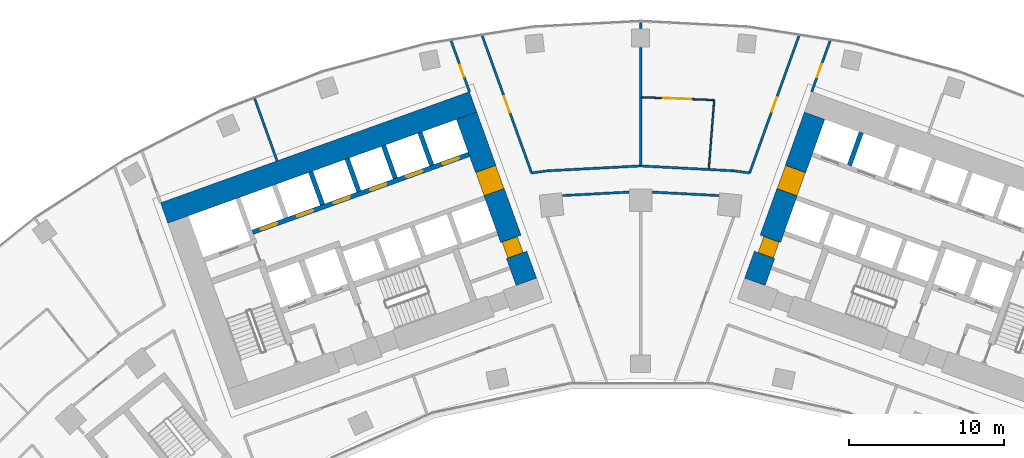
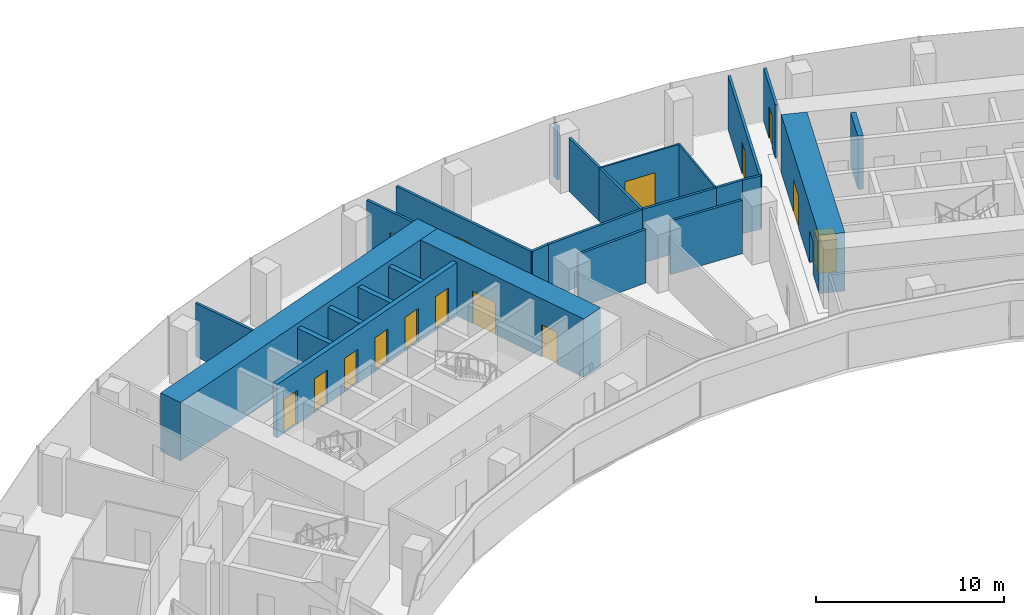
# One storey, part 15 of 20: 26 walls, 15 doors, 15 openings.
"""IFC4 building model written with IfcOpenShell, lengths in metres."""

from ifc_helpers import new_model, si_unit, direction, frame, frame_2d, origin, place, context, subcontext, project, spatial, rectangle, extrude, material, layer, layer_set, type_object, element, fill, save


model = new_model("IFC4")

# Units and contexts
model_context = context("Model", 3, precision=1e-05, world=origin(), true_north=direction((0.0, 1.0)))
body_context = subcontext(model_context, "Body", "Model", "MODEL_VIEW")
ifc_project = project(units=[si_unit("LENGTHUNIT", "METRE"), si_unit("AREAUNIT", "SQUARE_METRE"), si_unit("VOLUMEUNIT", "CUBIC_METRE"), si_unit("PLANEANGLEUNIT", "RADIAN"), si_unit("MASSUNIT", "GRAM", prefix="KILO")], contexts=[model_context])

# Site, building, storey
site_placement = place(None, origin())
site = spatial("IfcSite", under=ifc_project, at=site_placement, CompositionType="ELEMENT")
building_placement = place(site_placement, origin())
building = spatial("IfcBuilding", under=site, at=building_placement, Name="Stone Belt Terrace Tower", CompositionType="ELEMENT")
storey_placement = place(building_placement, frame((0.0, 0.0, 106.0)))
storey = spatial("IfcBuildingStorey", under=building, at=storey_placement, Name="L25", CompositionType="ELEMENT", Elevation=106.0)

# Wall
ifc_material_1 = material(Name="Concrete B80", Category="concrete")
ifc_layer_1 = layer(ifc_material_1, 1.39990234375)
ifc_layer_set_1 = layer_set([ifc_layer_1], Name="Core wall 1400 B80")
wall_type_1 = type_object("IfcWallType", Name="Core wall 1400 B80", PredefinedType="SHEAR", material=ifc_layer_set_1)
wall_1_placement = place(storey_placement, frame((-30.765380859375, 54.18310546875, 0.0), z_axis=(0.0, 0.0, 1.0), x_axis=(0.940919704758, 0.338629752382, 0.0)))
element("IfcWall", 1, at=wall_1_placement, inside=storey, type_object=wall_type_1, Name="Core A wall convex L25", PredefinedType="SHEAR", context=body_context, shape_type="SweptSolid", body=[
    extrude(rectangle(XDim=21.199951171875, YDim=1.39990234375, at=frame_2d((10.60009765625, 0.0))), origin(), (0.0, 0.0, 1.0), 3.800048828125),
])

# Wall, openings, doors
wall_2_placement = place(storey_placement, frame((-7.379150390625, 49.73974609375, 0.0), z_axis=(0.0, 0.0, 1.0), x_axis=(-0.338625431531, 0.940921259788, 0.0)))
wall_2 = element("IfcWall", 2, at=wall_2_placement, inside=storey, type_object=wall_type_1, Name="Core A wall end_b L25", PredefinedType="SHEAR", context=body_context, shape_type="SweptSolid", body=[
    extrude(rectangle(XDim=11.400146484375, YDim=1.39990234375, at=frame_2d((5.7001953125, 0.0))), origin(), (0.0, 0.0, 1.0), 3.800048828125),
])
opening_1_placement = place(wall_2_placement, frame((6.14990234375, 0.0, 0.0)))
opening_1 = element("IfcOpeningElement", 3, at=opening_1_placement, cuts=wall_2, Name="Opening L25-C02", PredefinedType="OPENING", context=body_context, shape_type="SweptSolid", body=[
    extrude(rectangle(XDim=1.60009765625, YDim=2.10009765625, at=frame_2d((0.800048828125, 1.050048828125))), frame((0.0, 0.7099609375, 0.0), z_axis=(0.0, -1.0, 0.0), x_axis=(1.0, 0.0, 0.0)), (0.0, 0.0, 1.0), 1.419921875),
])
opening_2_placement = place(wall_2_placement, frame((1.85009765625, 0.0, 0.0)))
opening_2 = element("IfcOpeningElement", 4, at=opening_2_placement, cuts=wall_2, Name="Opening L25-C08", PredefinedType="OPENING", context=body_context, shape_type="SweptSolid", body=[
    extrude(rectangle(XDim=1.10009765625, YDim=2.10009765625, at=frame_2d((0.550048828125, 1.050048828125))), frame((0.0, 0.7099609375, 0.0), z_axis=(0.0, -1.0, 0.0), x_axis=(1.0, 0.0, 0.0)), (0.0, 0.0, 1.0), 1.419921875),
])
ifc_material_2 = material(Name="Timber door leaf", Category="wood")
door_type_1 = type_object("IfcDoorType", Name="Core room door 1100", OperationType="SINGLE_SWING_LEFT", PredefinedType="DOOR", material=ifc_material_2)
door_1_placement = place(opening_2_placement, origin())
door_1 = element("IfcDoor", 5, at=door_1_placement, inside=storey, type_object=door_type_1, Name="Door to Accessible WC core A", OperationType="SINGLE_SWING_LEFT", OverallHeight=2.10009765625, OverallWidth=1.10009765625, PredefinedType="DOOR", context=body_context, shape_type="SweptSolid", body=[
    extrude(rectangle(XDim=1.10009765625, YDim=2.10009765625, at=frame_2d((0.550048828125, 1.050048828125))), frame((0.0, 0.60498046875, 0.0), z_axis=(0.0, -1.0, 0.0), x_axis=(1.0, 0.0, 0.0)), (0.0, 0.0, 1.0), 1.050048828125),
])
fill(opening_2, door_1)
ifc_material_3 = material(Name="Glazed aluminium door leaf", Category="aluminium")
door_type_2 = type_object("IfcDoorType", Name="Lift lobby entrance door 1600", OperationType="DOUBLE_DOOR_SINGLE_SWING", PredefinedType="DOOR", material=ifc_material_3)
door_2_placement = place(opening_1_placement, origin())
door_2 = element("IfcDoor", 6, at=door_2_placement, inside=storey, type_object=door_type_2, Name="Lift lobby entrance door core A", OperationType="DOUBLE_DOOR_SINGLE_SWING", OverallHeight=2.10009765625, OverallWidth=1.60009765625, PredefinedType="DOOR", context=body_context, shape_type="SweptSolid", body=[
    extrude(rectangle(XDim=1.60009765625, YDim=2.10009765625, at=frame_2d((0.800048828125, 1.050048828125))), frame((0.0, 0.68017578125, 0.0), z_axis=(0.0, -1.0, 0.0), x_axis=(1.0, 0.0, 0.0)), (0.0, 0.0, 1.0), 1.360107421875),
])
fill(opening_1, door_2)

wall_3_placement = place(storey_placement, frame((7.379150390625, 49.73974609375, 0.0), z_axis=(0.0, 0.0, 1.0), x_axis=(0.338625431531, 0.940921259788, 0.0)))
wall_3 = element("IfcWall", 7, at=wall_3_placement, inside=storey, type_object=wall_type_1, Name="Core B wall end_a L25", PredefinedType="SHEAR", context=body_context, shape_type="SweptSolid", body=[
    extrude(rectangle(XDim=11.400146484375, YDim=1.39990234375, at=frame_2d((5.7001953125, 0.0))), origin(), (0.0, 0.0, 1.0), 3.800048828125),
])
opening_3_placement = place(wall_3_placement, frame((6.14990234375, 0.0, 0.0)))
opening_3 = element("IfcOpeningElement", 8, at=opening_3_placement, cuts=wall_3, Name="Opening L25-C11", PredefinedType="OPENING", context=body_context, shape_type="SweptSolid", body=[
    extrude(rectangle(XDim=1.60009765625, YDim=2.10009765625, at=frame_2d((0.800048828125, 1.050048828125))), frame((0.0, 0.7099609375, 0.0), z_axis=(0.0, -1.0, 0.0), x_axis=(1.0, 0.0, 0.0)), (0.0, 0.0, 1.0), 1.419921875),
])
opening_4_placement = place(wall_3_placement, frame((1.85009765625, 0.0, 0.0)))
opening_4 = element("IfcOpeningElement", 9, at=opening_4_placement, cuts=wall_3, Name="Opening L25-C17", PredefinedType="OPENING", context=body_context, shape_type="SweptSolid", body=[
    extrude(rectangle(XDim=1.10009765625, YDim=2.10009765625, at=frame_2d((0.550048828125, 1.050048828125))), frame((0.0, 0.7099609375, 0.0), z_axis=(0.0, -1.0, 0.0), x_axis=(1.0, 0.0, 0.0)), (0.0, 0.0, 1.0), 1.419921875),
])
door_3_placement = place(opening_4_placement, origin())
door_3 = element("IfcDoor", 10, at=door_3_placement, inside=storey, type_object=door_type_1, Name="Door to Accessible WC core B", OperationType="SINGLE_SWING_RIGHT", OverallHeight=2.10009765625, OverallWidth=1.10009765625, PredefinedType="DOOR", context=body_context, shape_type="SweptSolid", body=[
    extrude(rectangle(XDim=1.10009765625, YDim=2.10009765625, at=frame_2d((0.550048828125, 1.050048828125))), frame((0.0, 0.44482421875, 0.0), z_axis=(0.0, -1.0, 0.0), x_axis=(1.0, 0.0, 0.0)), (0.0, 0.0, 1.0), 1.050048828125),
])
fill(opening_4, door_3)
door_4_placement = place(opening_3_placement, origin())
door_4 = element("IfcDoor", 11, at=door_4_placement, inside=storey, type_object=door_type_2, Name="Lift lobby entrance door core B", OperationType="DOUBLE_DOOR_SINGLE_SWING", OverallHeight=2.10009765625, OverallWidth=1.60009765625, PredefinedType="DOOR", context=body_context, shape_type="SweptSolid", body=[
    extrude(rectangle(XDim=1.60009765625, YDim=2.10009765625, at=frame_2d((0.800048828125, 1.050048828125))), frame((0.0, 0.68017578125, 0.0), z_axis=(0.0, -1.0, 0.0), x_axis=(1.0, 0.0, 0.0)), (0.0, 0.0, 1.0), 1.360107421875),
])
fill(opening_3, door_4)

ifc_layer_2 = layer(ifc_material_1, 0.300048828125)
ifc_layer_set_2 = layer_set([ifc_layer_2], Name="Lift shaft wall 300")
wall_type_2 = type_object("IfcWallType", Name="Lift shaft wall 300", PredefinedType="SHEAR", material=ifc_layer_set_2)
wall_4_placement = place(storey_placement, frame((-25.05810546875, 52.9423828125, 0.0), z_axis=(0.0, 0.0, 1.0), x_axis=(0.940918215764, 0.338633889685, 0.0)))
wall_4 = element("IfcWall", 12, at=wall_4_placement, inside=storey, type_object=wall_type_2, Name="Core A wall", PredefinedType="SHEAR", context=body_context, shape_type="SweptSolid", body=[
    extrude(rectangle(XDim=14.850341796875, YDim=0.300048828125, at=frame_2d((7.42529296875, 0.0))), origin(), (0.0, 0.0, 1.0), 3.47998046875),
])
opening_5_placement = place(wall_4_placement, frame((0.570068359375, 0.0, 0.0)))
opening_5 = element("IfcOpeningElement", 13, at=opening_5_placement, cuts=wall_4, Name="Opening L25-LD01", PredefinedType="OPENING", context=body_context, shape_type="SweptSolid", body=[
    extrude(rectangle(XDim=1.10009765625, YDim=2.199951171875, at=frame_2d((0.550048828125, 1.10009765625))), frame((0.0, 0.159912109375, 0.0), z_axis=(0.0, -1.0, 0.0), x_axis=(1.0, 0.0, 0.0)), (0.0, 0.0, 1.0), 0.320068359375),
])
opening_6_placement = place(wall_4_placement, frame((3.070068359375, 0.0, 0.0)))
opening_6 = element("IfcOpeningElement", 14, at=opening_6_placement, cuts=wall_4, Name="Opening L25-LD02", PredefinedType="OPENING", context=body_context, shape_type="SweptSolid", body=[
    extrude(rectangle(XDim=1.10009765625, YDim=2.199951171875, at=frame_2d((0.550048828125, 1.10009765625))), frame((0.0, 0.159912109375, 0.0), z_axis=(0.0, -1.0, 0.0), x_axis=(1.0, 0.0, 0.0)), (0.0, 0.0, 1.0), 0.320068359375),
])
opening_7_placement = place(wall_4_placement, frame((5.570068359375, 0.0, 0.0)))
opening_7 = element("IfcOpeningElement", 15, at=opening_7_placement, cuts=wall_4, Name="Opening L25-LD03", PredefinedType="OPENING", context=body_context, shape_type="SweptSolid", body=[
    extrude(rectangle(XDim=1.10009765625, YDim=2.199951171875, at=frame_2d((0.550048828125, 1.10009765625))), frame((0.0, 0.159912109375, 0.0), z_axis=(0.0, -1.0, 0.0), x_axis=(1.0, 0.0, 0.0)), (0.0, 0.0, 1.0), 0.320068359375),
])
opening_8_placement = place(wall_4_placement, frame((8.070068359375, 0.0, 0.0)))
opening_8 = element("IfcOpeningElement", 16, at=opening_8_placement, cuts=wall_4, Name="Opening L25-LD04", PredefinedType="OPENING", context=body_context, shape_type="SweptSolid", body=[
    extrude(rectangle(XDim=1.10009765625, YDim=2.199951171875, at=frame_2d((0.550048828125, 1.10009765625))), frame((0.0, 0.159912109375, 0.0), z_axis=(0.0, -1.0, 0.0), x_axis=(1.0, 0.0, 0.0)), (0.0, 0.0, 1.0), 0.320068359375),
])
opening_9_placement = place(wall_4_placement, frame((10.570068359375, 0.0, 0.0)))
opening_9 = element("IfcOpeningElement", 17, at=opening_9_placement, cuts=wall_4, Name="Opening L25-LD05", PredefinedType="OPENING", context=body_context, shape_type="SweptSolid", body=[
    extrude(rectangle(XDim=1.10009765625, YDim=2.199951171875, at=frame_2d((0.550048828125, 1.10009765625))), frame((0.0, 0.159912109375, 0.0), z_axis=(0.0, -1.0, 0.0), x_axis=(1.0, 0.0, 0.0)), (0.0, 0.0, 1.0), 0.320068359375),
])
opening_10_placement = place(wall_4_placement, frame((13.070068359375, 0.0, 0.0)))
opening_10 = element("IfcOpeningElement", 18, at=opening_10_placement, cuts=wall_4, Name="Opening L25-LD06", PredefinedType="OPENING", context=body_context, shape_type="SweptSolid", body=[
    extrude(rectangle(XDim=1.10009765625, YDim=2.199951171875, at=frame_2d((0.550048828125, 1.10009765625))), frame((0.0, 0.159912109375, 0.0), z_axis=(0.0, -1.0, 0.0), x_axis=(1.0, 0.0, 0.0)), (0.0, 0.0, 1.0), 0.320068359375),
])
ifc_material_4 = material(Name="Stainless steel door leaf", Category="steel")
door_type_3 = type_object("IfcDoorType", Name="Landing door 1100", OperationType="SLIDING_TO_LEFT", PredefinedType="DOOR", material=ifc_material_4)
door_5_placement = place(opening_5_placement, origin())
door_5 = element("IfcDoor", 19, at=door_5_placement, inside=storey, type_object=door_type_3, Name="Landing door LR1 core A", OperationType="SLIDING_TO_LEFT", OverallHeight=2.199951171875, OverallWidth=1.10009765625, PredefinedType="DOOR", context=body_context, shape_type="SweptSolid", body=[
    extrude(rectangle(XDim=1.10009765625, YDim=2.199951171875, at=frame_2d((0.550048828125, 1.10009765625))), frame((0.0, 0.02490234375, 0.0), z_axis=(0.0, -1.0, 0.0), x_axis=(1.0, 0.0, 0.0)), (0.0, 0.0, 1.0), 0.050048828125),
])
fill(opening_5, door_5)
door_6_placement = place(opening_6_placement, origin())
door_6 = element("IfcDoor", 20, at=door_6_placement, inside=storey, type_object=door_type_3, Name="Landing door LR2 core A", OperationType="SLIDING_TO_LEFT", OverallHeight=2.199951171875, OverallWidth=1.10009765625, PredefinedType="DOOR", context=body_context, shape_type="SweptSolid", body=[
    extrude(rectangle(XDim=1.10009765625, YDim=2.199951171875, at=frame_2d((0.550048828125, 1.10009765625))), frame((0.0, 0.02490234375, 0.0), z_axis=(0.0, -1.0, 0.0), x_axis=(1.0, 0.0, 0.0)), (0.0, 0.0, 1.0), 0.050048828125),
])
fill(opening_6, door_6)
door_7_placement = place(opening_7_placement, origin())
door_7 = element("IfcDoor", 21, at=door_7_placement, inside=storey, type_object=door_type_3, Name="Landing door LR3 core A", OperationType="SLIDING_TO_LEFT", OverallHeight=2.199951171875, OverallWidth=1.10009765625, PredefinedType="DOOR", context=body_context, shape_type="SweptSolid", body=[
    extrude(rectangle(XDim=1.10009765625, YDim=2.199951171875, at=frame_2d((0.550048828125, 1.10009765625))), frame((0.0, 0.02490234375, 0.0), z_axis=(0.0, -1.0, 0.0), x_axis=(1.0, 0.0, 0.0)), (0.0, 0.0, 1.0), 0.050048828125),
])
fill(opening_7, door_7)
door_8_placement = place(opening_8_placement, origin())
door_8 = element("IfcDoor", 22, at=door_8_placement, inside=storey, type_object=door_type_3, Name="Landing door LR4 core A", OperationType="SLIDING_TO_LEFT", OverallHeight=2.199951171875, OverallWidth=1.10009765625, PredefinedType="DOOR", context=body_context, shape_type="SweptSolid", body=[
    extrude(rectangle(XDim=1.10009765625, YDim=2.199951171875, at=frame_2d((0.550048828125, 1.10009765625))), frame((0.0, 0.02490234375, 0.0), z_axis=(0.0, -1.0, 0.0), x_axis=(1.0, 0.0, 0.0)), (0.0, 0.0, 1.0), 0.050048828125),
])
fill(opening_8, door_8)
door_9_placement = place(opening_9_placement, origin())
door_9 = element("IfcDoor", 23, at=door_9_placement, inside=storey, type_object=door_type_3, Name="Landing door LR5 core A", OperationType="SLIDING_TO_LEFT", OverallHeight=2.199951171875, OverallWidth=1.10009765625, PredefinedType="DOOR", context=body_context, shape_type="SweptSolid", body=[
    extrude(rectangle(XDim=1.10009765625, YDim=2.199951171875, at=frame_2d((0.550048828125, 1.10009765625))), frame((0.0, 0.02490234375, 0.0), z_axis=(0.0, -1.0, 0.0), x_axis=(1.0, 0.0, 0.0)), (0.0, 0.0, 1.0), 0.050048828125),
])
fill(opening_9, door_9)
door_10_placement = place(opening_10_placement, origin())
door_10 = element("IfcDoor", 24, at=door_10_placement, inside=storey, type_object=door_type_3, Name="Landing door LR6 core A", OperationType="SLIDING_TO_LEFT", OverallHeight=2.199951171875, OverallWidth=1.10009765625, PredefinedType="DOOR", context=body_context, shape_type="SweptSolid", body=[
    extrude(rectangle(XDim=1.10009765625, YDim=2.199951171875, at=frame_2d((0.550048828125, 1.10009765625))), frame((0.0, 0.02490234375, 0.0), z_axis=(0.0, -1.0, 0.0), x_axis=(1.0, 0.0, 0.0)), (0.0, 0.0, 1.0), 0.050048828125),
])
fill(opening_10, door_10)

# Walls
wall_5_placement = place(storey_placement, frame((-20.54541015625, 54.72607421875, 0.0), z_axis=(0.0, 0.0, 1.0), x_axis=(-0.338569601369, 0.940941350472, 0.0)))
element("IfcWall", 25, at=wall_5_placement, inside=storey, type_object=wall_type_2, Name="Core A wall", PredefinedType="SHEAR", context=body_context, shape_type="SweptSolid", body=[
    extrude(rectangle(XDim=2.249755859375, YDim=0.300048828125, at=frame_2d((1.125, 0.0))), origin(), (0.0, 0.0, 1.0), 3.47998046875),
])
wall_6_placement = place(storey_placement, frame((-18.193115234375, 55.572509765625, 0.0), z_axis=(0.0, 0.0, 1.0), x_axis=(-0.338535034312, 0.940953787677, 0.0)))
element("IfcWall", 26, at=wall_6_placement, inside=storey, type_object=wall_type_2, Name="Core A wall", PredefinedType="SHEAR", context=body_context, shape_type="SweptSolid", body=[
    extrude(rectangle(XDim=2.25, YDim=0.300048828125, at=frame_2d((1.125, 0.0))), origin(), (0.0, 0.0, 1.0), 3.47998046875),
])
wall_7_placement = place(storey_placement, frame((-15.8408203125, 56.419189453125, 0.0), z_axis=(0.0, 0.0, 1.0), x_axis=(-0.338569601369, 0.940941350472, 0.0)))
element("IfcWall", 27, at=wall_7_placement, inside=storey, type_object=wall_type_2, Name="Core A wall", PredefinedType="SHEAR", context=body_context, shape_type="SweptSolid", body=[
    extrude(rectangle(XDim=2.249755859375, YDim=0.300048828125, at=frame_2d((1.125, 0.0))), origin(), (0.0, 0.0, 1.0), 3.47998046875),
])
for number, where, z_axis, x_axis, name in (
    (28, (-13.48828125, 57.265625, 0.0), (0.0, 0.0, 1.0), (-0.338631098537, 0.940919220286, 0.0), "Core A wall"),
    (29, (13.48828125, 57.265625, 0.0), (0.0, 0.0, 1.0), (0.338631098537, 0.940919220286, 0.0), "Core B wall"),
):
    element("IfcWall", number, at=place(storey_placement, frame(where, z_axis=z_axis, x_axis=x_axis)), inside=storey, type_object=wall_type_2, Name=name, PredefinedType="SHEAR", context=body_context, shape_type="SweptSolid", body=[
        extrude(rectangle(XDim=2.250244140625, YDim=0.300048828125, at=frame_2d((1.125, 0.0))), origin(), (0.0, 0.0, 1.0), 3.47998046875),
    ])
ifc_material_5 = material(Name="Gypsum board partition")
ifc_layer_3 = layer(ifc_material_5, 0.10009765625)
ifc_layer_set_3 = layer_set([ifc_layer_3], Name="PARTITION 100")
wall_type_3 = type_object("IfcWallType", Name="PARTITION 100", PredefinedType="PARTITIONING", material=ifc_layer_set_3)
wall_8_placement = place(storey_placement, frame((4.405029296875, 56.9951171875, 0.0), z_axis=(0.0, 0.0, 1.0), x_axis=(0.077107292913, 0.997022800832, 0.0)))
element("IfcWall", 30, at=wall_8_placement, inside=storey, type_object=wall_type_3, Name="L25/wall/i094", PredefinedType="PARTITIONING", context=body_context, shape_type="SweptSolid", body=[
    extrude(rectangle(XDim=4.499267578125, YDim=0.10009765625, at=frame_2d((2.24951171875, 0.0))), origin(), (0.0, 0.0, 1.0), 3.47998046875),
])

# Wall, opening, door
wall_9_placement = place(storey_placement, frame((4.751953125, 61.48095703125, 0.0), z_axis=(0.0, 0.0, 1.0), x_axis=(-0.99925844213, 0.0385041015, 0.0)))
wall_9 = element("IfcWall", 31, at=wall_9_placement, inside=storey, type_object=wall_type_3, Name="L25/wall/i095", PredefinedType="PARTITIONING", context=body_context, shape_type="SweptSolid", body=[
    extrude(rectangle(XDim=4.75537109375, YDim=0.10009765625, at=frame_2d((2.377685546875, 0.0))), origin(), (0.0, 0.0, 1.0), 3.47998046875),
])
opening_11_placement = place(wall_9_placement, frame((1.477783203125, 0.0, 0.0)))
opening_11 = element("IfcOpeningElement", 32, at=opening_11_placement, cuts=wall_9, Name="Opening D-B3-30", PredefinedType="OPENING", context=body_context, shape_type="SweptSolid", body=[
    extrude(rectangle(XDim=1.800048828125, YDim=2.10009765625, at=frame_2d((0.89990234375, 1.050048828125))), frame((0.0, 0.06005859375, 0.0), z_axis=(0.0, -1.0, 0.0), x_axis=(1.0, 0.0, 0.0)), (0.0, 0.0, 1.0), 0.1201171875),
])
door_type_4 = type_object("IfcDoorType", Name="DOUBLE DOOR 1800 X 2100", OperationType="DOUBLE_DOOR_SINGLE_SWING", PredefinedType="DOOR", material=ifc_material_2)
door_11_placement = place(opening_11_placement, origin())
door_11 = element("IfcDoor", 33, at=door_11_placement, inside=storey, type_object=door_type_4, Name="L25/door/i30", OperationType="DOUBLE_DOOR_SINGLE_SWING", OverallHeight=2.10009765625, OverallWidth=1.800048828125, PredefinedType="DOOR", context=body_context, shape_type="SweptSolid", body=[
    extrude(rectangle(XDim=1.800048828125, YDim=2.10009765625, at=frame_2d((0.89990234375, 1.050048828125))), frame((0.0, 0.02490234375, 0.0), z_axis=(0.0, -1.0, 0.0), x_axis=(1.0, 0.0, 0.0)), (0.0, 0.0, 1.0), 0.050048828125),
])
fill(opening_11, door_11)

ifc_layer_4 = layer(ifc_material_5, 0.14990234375)
ifc_layer_set_4 = layer_set([ifc_layer_4], Name="PARTITION 150 EI 60")
wall_type_4 = type_object("IfcWallType", Name="PARTITION 150 EI 60", PredefinedType="PARTITIONING", material=ifc_layer_set_4)
wall_10_placement = place(storey_placement, frame((-11.054931640625, 62.02099609375, 0.0), z_axis=(0.0, 0.0, 1.0), x_axis=(-0.338853532575, 0.94083913793, 0.0)))
wall_10 = element("IfcWall", 34, at=wall_10_placement, inside=storey, type_object=wall_type_4, Name="L25/wall/i007", PredefinedType="PARTITIONING", context=body_context, shape_type="SweptSolid", body=[
    extrude(rectangle(XDim=3.482177734375, YDim=0.14990234375, at=frame_2d((1.7412109375, 0.0))), origin(), (0.0, 0.0, 1.0), 3.47998046875),
])
opening_12_placement = place(wall_10_placement, frame((1.02880859375, 0.0, 0.0)))
opening_12 = element("IfcOpeningElement", 35, at=opening_12_placement, cuts=wall_10, Name="Opening D-B3-04", PredefinedType="OPENING", context=body_context, shape_type="SweptSolid", body=[
    extrude(rectangle(XDim=0.800048828125, YDim=2.10009765625, at=frame_2d((0.39990234375, 1.050048828125))), frame((0.0, 0.0849609375, 0.0), z_axis=(0.0, -1.0, 0.0), x_axis=(1.0, 0.0, 0.0)), (0.0, 0.0, 1.0), 0.169921875),
])
door_type_5 = type_object("IfcDoorType", Name="STORE DOOR 800 X 2100", OperationType="NOTDEFINED", PredefinedType="DOOR", material=ifc_material_2)
door_12_placement = place(opening_12_placement, origin())
door_12 = element("IfcDoor", 36, at=door_12_placement, inside=storey, type_object=door_type_5, Name="L25/door/i04", OperationType="SINGLE_SWING_LEFT", OverallHeight=2.10009765625, OverallWidth=0.800048828125, PredefinedType="DOOR", context=body_context, shape_type="SweptSolid", body=[
    extrude(rectangle(XDim=0.800048828125, YDim=2.10009765625, at=frame_2d((0.39990234375, 1.050048828125))), frame((0.0, 0.02490234375, 0.0), z_axis=(0.0, -1.0, 0.0), x_axis=(1.0, 0.0, 0.0)), (0.0, 0.0, 1.0), 0.050048828125),
])
fill(opening_12, door_12)

wall_11_placement = place(storey_placement, frame((-10.223876953125, 65.6162109375, 0.0), z_axis=(0.0, 0.0, 1.0), x_axis=(0.338637655092, -0.940916860596, 0.0)))
wall_11 = element("IfcWall", 37, at=wall_11_placement, inside=storey, type_object=wall_type_4, Name="L25/wall/i009", PredefinedType="PARTITIONING", context=body_context, shape_type="SweptSolid", body=[
    extrude(rectangle(XDim=9.40478515625, YDim=0.14990234375, at=frame_2d((4.702392578125, 0.0))), origin(), (0.0, 0.0, 1.0), 3.47998046875),
])
opening_13_placement = place(wall_11_placement, frame((4.15234375, 0.0, 0.0)))
opening_13 = element("IfcOpeningElement", 38, at=opening_13_placement, cuts=wall_11, Name="Opening D-B3-28", PredefinedType="OPENING", context=body_context, shape_type="SweptSolid", body=[
    extrude(rectangle(XDim=1.10009765625, YDim=2.10009765625, at=frame_2d((0.550048828125, 1.050048828125))), frame((0.0, 0.0849609375, 0.0), z_axis=(0.0, -1.0, 0.0), x_axis=(1.0, 0.0, 0.0)), (0.0, 0.0, 1.0), 0.169921875),
])
ifc_material_6 = material(Name="Steel fire door set", Category="steel")
door_type_6 = type_object("IfcDoorType", Name="SERVICE ROOM DOOR 1100 X 2100", OperationType="NOTDEFINED", PredefinedType="DOOR", material=ifc_material_6)
door_13_placement = place(opening_13_placement, origin())
door_13 = element("IfcDoor", 39, at=door_13_placement, inside=storey, type_object=door_type_6, Name="L25/door/i28", OperationType="SINGLE_SWING_RIGHT", OverallHeight=2.10009765625, OverallWidth=1.10009765625, PredefinedType="DOOR", context=body_context, shape_type="SweptSolid", body=[
    extrude(rectangle(XDim=1.10009765625, YDim=2.10009765625, at=frame_2d((0.550048828125, 1.050048828125))), frame((0.0, 0.02490234375, 0.0), z_axis=(0.0, -1.0, 0.0), x_axis=(1.0, 0.0, 0.0)), (0.0, 0.0, 1.0), 0.050048828125),
])
fill(opening_13, door_13)

# Wall
wall_12_placement = place(storey_placement, frame((-24.921875, 61.566162109375, 0.0), z_axis=(0.0, 0.0, 1.0), x_axis=(0.338516906477, -0.940960309487, 0.0)))
element("IfcWall", 40, at=wall_12_placement, inside=storey, type_object=wall_type_4, Name="L25/wall/i013", PredefinedType="PARTITIONING", context=body_context, shape_type="SweptSolid", body=[
    extrude(rectangle(XDim=4.26806640625, YDim=0.14990234375, at=frame_2d((2.134033203125, 0.0))), origin(), (0.0, 0.0, 1.0), 3.47998046875),
])

# Wall, opening, door
wall_13_placement = place(storey_placement, frame((12.23486328125, 65.297119140625, 0.0), z_axis=(0.0, 0.0, 1.0), x_axis=(-0.338853532575, -0.94083913793, 0.0)))
wall_13 = element("IfcWall", 41, at=wall_13_placement, inside=storey, type_object=wall_type_4, Name="L25/wall/i015", PredefinedType="PARTITIONING", context=body_context, shape_type="SweptSolid", body=[
    extrude(rectangle(XDim=3.482177734375, YDim=0.14990234375, at=frame_2d((1.7412109375, 0.0))), origin(), (0.0, 0.0, 1.0), 3.47998046875),
])
opening_14_placement = place(wall_13_placement, frame((1.58837890625, 0.0, 0.0)))
opening_14 = element("IfcOpeningElement", 42, at=opening_14_placement, cuts=wall_13, Name="Opening D-B3-07", PredefinedType="OPENING", context=body_context, shape_type="SweptSolid", body=[
    extrude(rectangle(XDim=0.89990234375, YDim=2.10009765625, at=frame_2d((0.449951171875, 1.050048828125))), frame((0.0, 0.0849609375, 0.0), z_axis=(0.0, -1.0, 0.0), x_axis=(1.0, 0.0, 0.0)), (0.0, 0.0, 1.0), 0.169921875),
])
door_type_7 = type_object("IfcDoorType", Name="OFFICE DOOR 900 X 2100", OperationType="NOTDEFINED", PredefinedType="DOOR", material=ifc_material_2)
door_14_placement = place(opening_14_placement, origin())
door_14 = element("IfcDoor", 43, at=door_14_placement, inside=storey, type_object=door_type_7, Name="L25/door/i07", OperationType="SINGLE_SWING_RIGHT", OverallHeight=2.10009765625, OverallWidth=0.89990234375, PredefinedType="DOOR", context=body_context, shape_type="SweptSolid", body=[
    extrude(rectangle(XDim=0.89990234375, YDim=2.10009765625, at=frame_2d((0.449951171875, 1.050048828125))), frame((0.0, 0.02490234375, 0.0), z_axis=(0.0, -1.0, 0.0), x_axis=(1.0, 0.0, 0.0)), (0.0, 0.0, 1.0), 0.050048828125),
])
fill(opening_14, door_14)

wall_14_placement = place(storey_placement, frame((7.0390625, 56.76708984375, 0.0), z_axis=(0.0, 0.0, 1.0), x_axis=(0.338637655092, 0.940916860596, 0.0)))
wall_14 = element("IfcWall", 44, at=wall_14_placement, inside=storey, type_object=wall_type_4, Name="L25/wall/i017", PredefinedType="PARTITIONING", context=body_context, shape_type="SweptSolid", body=[
    extrude(rectangle(XDim=9.40478515625, YDim=0.14990234375, at=frame_2d((4.702392578125, 0.0))), origin(), (0.0, 0.0, 1.0), 3.47998046875),
])
opening_15_placement = place(wall_14_placement, frame((4.202392578125, 0.0, 0.0)))
opening_15 = element("IfcOpeningElement", 45, at=opening_15_placement, cuts=wall_14, Name="Opening D-B3-29", PredefinedType="OPENING", context=body_context, shape_type="SweptSolid", body=[
    extrude(rectangle(XDim=1.0, YDim=2.10009765625, at=frame_2d((0.5, 1.050048828125))), frame((0.0, 0.0849609375, 0.0), z_axis=(0.0, -1.0, 0.0), x_axis=(1.0, 0.0, 0.0)), (0.0, 0.0, 1.0), 0.169921875),
])
ifc_material_7 = material(Name="Timber fire door leaf", Category="wood")
door_type_8 = type_object("IfcDoorType", Name="TENANCY ENTRANCE DOOR 1000 X 2100", OperationType="NOTDEFINED", PredefinedType="DOOR", material=ifc_material_7)
door_15_placement = place(opening_15_placement, origin())
door_15 = element("IfcDoor", 46, at=door_15_placement, inside=storey, type_object=door_type_8, Name="L25/door/i29", OperationType="SINGLE_SWING_RIGHT", OverallHeight=2.10009765625, OverallWidth=1.0, PredefinedType="DOOR", context=body_context, shape_type="SweptSolid", body=[
    extrude(rectangle(XDim=1.0, YDim=2.10009765625, at=frame_2d((0.5, 1.050048828125))), frame((0.0, 0.02490234375, 0.0), z_axis=(0.0, -1.0, 0.0), x_axis=(1.0, 0.0, 0.0)), (0.0, 0.0, 1.0), 0.050048828125),
])
fill(opening_15, door_15)

# Walls
for number, where, z_axis, x_axis, name in (
    (47, (-0.7548828125, 55.535400390625, 0.0), (0.0, 0.0, 1.0), (-0.998635163173, -0.052228448909, 0.0), "L25/wall/i083"),
    (48, (5.05419921875, 55.310546875, 0.0), (0.0, 0.0, 1.0), (-0.998635163173, 0.052228448909, 0.0), "L25/wall/i084"),
):
    element("IfcWall", number, at=place(storey_placement, frame(where, z_axis=z_axis, x_axis=x_axis)), inside=storey, type_object=wall_type_4, Name=name, PredefinedType="PARTITIONING", context=body_context, shape_type="SweptSolid", body=[
        extrude(rectangle(XDim=4.30517578125, YDim=0.14990234375, at=frame_2d((2.152587890625, 0.0))), origin(), (0.0, 0.0, 1.0), 3.47998046875),
    ])
wall_15_placement = place(storey_placement, frame((-7.041015625, 56.77294921875, 0.0), z_axis=(0.0, 0.0, 1.0), x_axis=(0.991477617634, 0.130277142013, 0.0)))
element("IfcWall", 49, at=wall_15_placement, inside=storey, type_object=wall_type_4, Name="L25/wall/i085", PredefinedType="PARTITIONING", context=body_context, shape_type="SweptSolid", body=[
    extrude(rectangle(XDim=1.068115234375, YDim=0.14990234375, at=frame_2d((0.5341796875, 0.0))), origin(), (0.0, 0.0, 1.0), 3.47998046875),
])
wall_16_placement = place(storey_placement, frame((-5.98193359375, 56.912109375, 0.0), z_axis=(0.0, 0.0, 1.0), x_axis=(0.998633994648, 0.052250786921, 0.0)))
element("IfcWall", 50, at=wall_16_placement, inside=storey, type_object=wall_type_4, Name="L25/wall/i086", PredefinedType="PARTITIONING", context=body_context, shape_type="SweptSolid", body=[
    extrude(rectangle(XDim=5.990234375, YDim=0.14990234375, at=frame_2d((2.9951171875, 0.0))), origin(), (0.0, 0.0, 1.0), 3.47998046875),
])
wall_17_placement = place(storey_placement, frame((4.39892578125, 56.9951171875, 0.0), z_axis=(0.0, 0.0, 1.0), x_axis=(0.998628021373, -0.052364825303, 0.0)))
element("IfcWall", 51, at=wall_17_placement, inside=storey, type_object=wall_type_4, Name="L25/wall/i087", PredefinedType="PARTITIONING", context=body_context, shape_type="SweptSolid", body=[
    extrude(rectangle(XDim=1.585205078125, YDim=0.14990234375, at=frame_2d((0.79248046875, 0.0))), origin(), (0.0, 0.0, 1.0), 3.47998046875),
])
wall_18_placement = place(storey_placement, frame((5.98193359375, 56.912109375, 0.0), z_axis=(0.0, 0.0, 1.0), x_axis=(0.991477617634, -0.130277142013, 0.0)))
element("IfcWall", 52, at=wall_18_placement, inside=storey, type_object=wall_type_4, Name="L25/wall/i088", PredefinedType="PARTITIONING", context=body_context, shape_type="SweptSolid", body=[
    extrude(rectangle(XDim=1.068115234375, YDim=0.14990234375, at=frame_2d((0.5341796875, 0.0))), origin(), (0.0, 0.0, 1.0), 3.47998046875),
])
wall_19_placement = place(storey_placement, frame((0.0, 57.22509765625, 0.0), z_axis=(0.0, 0.0, 1.0), x_axis=(0.998629105291, -0.052344150258, 0.0)))
element("IfcWall", 53, at=wall_19_placement, inside=storey, type_object=wall_type_4, Name="L25/wall/i089", PredefinedType="PARTITIONING", context=body_context, shape_type="SweptSolid", body=[
    extrude(rectangle(XDim=4.4169921875, YDim=0.14990234375, at=frame_2d((2.20849609375, 0.0))), origin(), (0.0, 0.0, 1.0), 3.47998046875),
])
wall_20_placement = place(storey_placement, frame((0.0, 66.5, 0.0), z_axis=(0.0, 0.0, 1.0), x_axis=(0.0, -1.0, 0.0)))
element("IfcWall", 54, at=wall_20_placement, inside=storey, type_object=wall_type_4, Name="L25/wall/i091", PredefinedType="PARTITIONING", context=body_context, shape_type="SweptSolid", body=[
    extrude(rectangle(XDim=0.406005859375, YDim=0.14990234375, at=frame_2d((0.203125, 0.0))), origin(), (0.0, 0.0, 1.0), 3.47998046875),
])
wall_21_placement = place(storey_placement, frame((0.0, 64.8837890625, 0.0), z_axis=(0.0, 0.0, 1.0), x_axis=(0.0, -1.0, 0.0)))
element("IfcWall", 55, at=wall_21_placement, inside=storey, type_object=wall_type_4, Name="L25/wall/i092", PredefinedType="PARTITIONING", context=body_context, shape_type="SweptSolid", body=[
    extrude(rectangle(XDim=3.225830078125, YDim=0.14990234375, at=frame_2d((1.61279296875, 0.0))), origin(), (0.0, 0.0, 1.0), 3.47998046875),
])
wall_22_placement = place(storey_placement, frame((0.0, 61.669921875, 0.0), z_axis=(0.0, 0.0, 1.0), x_axis=(0.0, -1.0, 0.0)))
element("IfcWall", 56, at=wall_22_placement, inside=storey, type_object=wall_type_4, Name="L25/wall/i093", PredefinedType="PARTITIONING", context=body_context, shape_type="SweptSolid", body=[
    extrude(rectangle(XDim=4.44482421875, YDim=0.14990234375, at=frame_2d((2.222412109375, 0.0))), origin(), (0.0, 0.0, 1.0), 3.47998046875),
])

save(model, "model.ifc")
